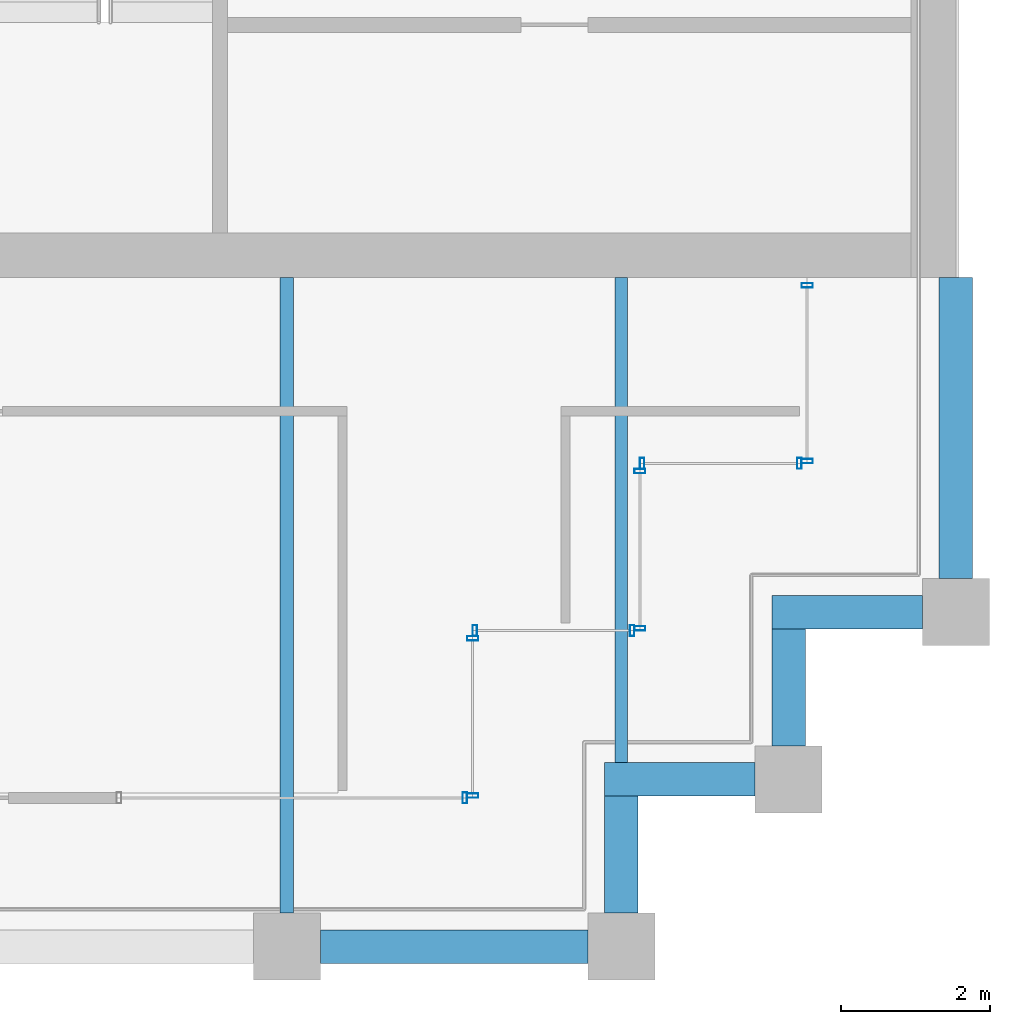
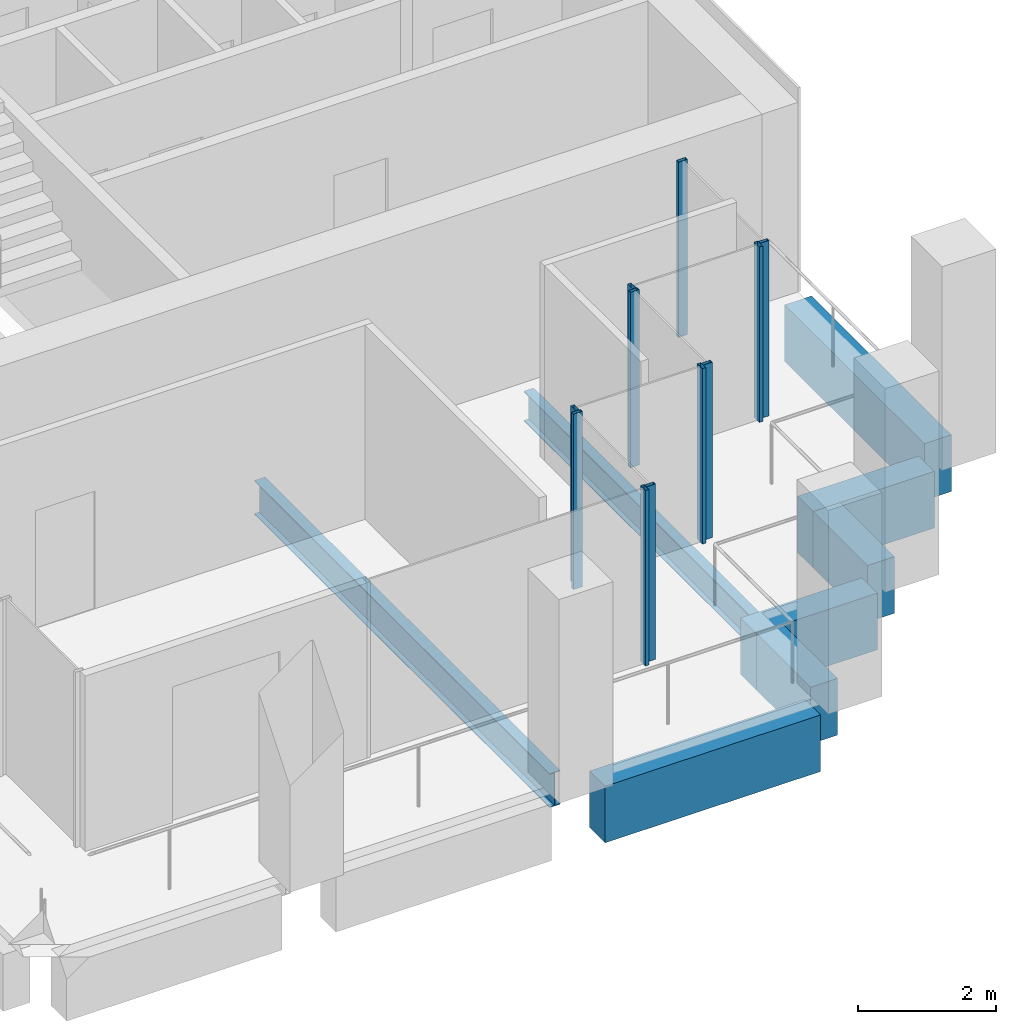
# One storey, part 31 of 40: 11 members, 8 beams, 6 elements without a shape of their own.
"""IFC4 building model written with IfcOpenShell, lengths in metres."""

from ifc_helpers import new_model, si_unit, direction, frame, origin, origin_2d, place, context, subcontext, project, spatial, rectangle, hollow_rectangle, i_section, extrude, material, material_profile, profile_set, type_object, element, aggregate, save


model = new_model("IFC4")

# Units and contexts
model_context = context("Model", 3, precision=1e-05, world=origin(), true_north=direction((0.0, 1.0)))
body_context = subcontext(model_context, "Body", "Model", "MODEL_VIEW")
ifc_project = project(units=[si_unit("LENGTHUNIT", "METRE"), si_unit("AREAUNIT", "SQUARE_METRE"), si_unit("VOLUMEUNIT", "CUBIC_METRE"), si_unit("PLANEANGLEUNIT", "RADIAN"), si_unit("MASSUNIT", "GRAM", prefix="KILO")], contexts=[model_context])

# Site, building, storey
site_placement = place(None, origin())
site = spatial("IfcSite", under=ifc_project, at=site_placement, CompositionType="ELEMENT")
building_placement = place(site_placement, origin())
building = spatial("IfcBuilding", under=site, at=building_placement, Name="Altepetl Exchange Towers", CompositionType="ELEMENT")
storey_placement = place(building_placement, frame((0.0, 0.0, 172.60009765625)))
storey = spatial("IfcBuildingStorey", under=building, at=storey_placement, Name="L43", CompositionType="ELEMENT", Elevation=172.60009765625)

# Beams
ifc_material_1 = material(Name="Steel S355", Category="steel")
ifc_material_profile_1 = material_profile(ifc_material_1, i_section(OverallWidth=0.166015625, OverallDepth=0.529052734375, WebThickness=0.009765625, FlangeThickness=0.013671875, at=origin_2d()), Name="W21X50")
ifc_profile_set_1 = profile_set([ifc_material_profile_1], Name="Steel S355")
beam_type_1 = type_object("IfcBeamType", Name="Floor beam W21X50", PredefinedType="BEAM", material=ifc_profile_set_1)
beam_1_placement = place(storey_placement, frame((112.5, 29.47509765625, -0.41455078125), z_axis=(0.0, 1.0, 0.0), x_axis=(-1.0, 0.0, 0.0)))
element("IfcBeam", 1, at=beam_1_placement, inside=storey, type_object=beam_type_1, Name="bm:B:L43:003", PredefinedType="BEAM", context=body_context, shape_type="SweptSolid", body=[
    extrude(i_section(OverallWidth=0.166015625, OverallDepth=0.529052734375, WebThickness=0.009765625, FlangeThickness=0.013671875, at=origin_2d()), origin(), (0.0, 0.0, 1.0), 6.52490234375),
])
ifc_material_profile_2 = material_profile(ifc_material_1, i_section(OverallWidth=0.177978515625, OverallDepth=0.59912109375, WebThickness=0.010009765625, FlangeThickness=0.0126953125, at=origin_2d()), Name="W24X55")
ifc_profile_set_2 = profile_set([ifc_material_profile_2], Name="Steel S355")
beam_type_2 = type_object("IfcBeamType", Name="Floor beam W24X55", PredefinedType="BEAM", material=ifc_profile_set_2)
beam_2_placement = place(storey_placement, frame((108.0, 27.449951171875, -0.44970703125), z_axis=(0.0, 1.0, 0.0), x_axis=(-1.0, 0.0, 0.0)))
element("IfcBeam", 2, at=beam_2_placement, inside=storey, type_object=beam_type_2, Name="bm:B:L43:002", PredefinedType="BEAM", context=body_context, shape_type="SweptSolid", body=[
    extrude(i_section(OverallWidth=0.177978515625, OverallDepth=0.59912109375, WebThickness=0.010009765625, FlangeThickness=0.0126953125, at=origin_2d()), origin(), (0.0, 0.0, 1.0), 8.550048828125),
])

# Curtain wall, member
ifc_material_2 = material(Name="Aluminium 6063-T6 glazing", Category="aluminium")
curtain_wall_type = type_object("IfcCurtainWallType", Name="Loggia glazing system", PredefinedType="NOTDEFINED", material=ifc_material_2)
curtain_wall_1_placement = place(storey_placement, origin())
curtain_wall_1 = element("IfcCurtainWall", 3, at=curtain_wall_1_placement, inside=storey, type_object=curtain_wall_type, Name="CW1 run", PredefinedType="NOTDEFINED")
ifc_material_3 = material(Name="Aluminium 6063-T6", Category="aluminium")
ifc_material_profile_3 = material_profile(ifc_material_3, hollow_rectangle(XDim=0.06005859375, YDim=0.14990234375, WallThickness=0.0029296875, at=origin_2d()), Name="Mullion 60x150 aluminium")
ifc_profile_set_3 = profile_set([ifc_material_profile_3], Name="Aluminium 6063-T6")
member_type = type_object("IfcMemberType", Name="Mullion 60x150 aluminium", PredefinedType="MULLION", material=ifc_profile_set_3)
member_1_placement = place(storey_placement, frame((110.39501953125, 29.0, 0.0)))
member_1 = element("IfcMember", 4, at=member_1_placement, type_object=member_type, Name="MU1 mullion", PredefinedType="MULLION", context=body_context, shape_type="SweptSolid", body=[
    extrude(hollow_rectangle(XDim=0.06005859375, YDim=0.14990234375, WallThickness=0.0029296875, at=origin_2d()), origin(), (0.0, 0.0, 1.0), 3.099853515625),
])
aggregate(curtain_wall_1, [member_1])

# Curtain wall, members
curtain_wall_2_placement = place(storey_placement, origin())
curtain_wall_2 = element("IfcCurtainWall", 5, at=curtain_wall_2_placement, inside=storey, type_object=curtain_wall_type, Name="CW1 run", PredefinedType="NOTDEFINED")
member_2_placement = place(storey_placement, frame((110.5, 29.030029296875, 0.0), z_axis=(0.0, 0.0, 1.0), x_axis=(0.0, 1.0, 0.0)))
member_2 = element("IfcMember", 6, at=member_2_placement, type_object=member_type, Name="MU1 mullion", PredefinedType="MULLION", context=body_context, shape_type="SweptSolid", body=[
    extrude(hollow_rectangle(XDim=0.06005859375, YDim=0.14990234375, WallThickness=0.0029296875, at=origin_2d()), origin(), (0.0, 0.0, 1.0), 3.099853515625),
])
member_3_placement = place(storey_placement, frame((110.5, 31.14501953125, 0.0), z_axis=(0.0, 0.0, 1.0), x_axis=(0.0, 1.0, 0.0)))
member_3 = element("IfcMember", 7, at=member_3_placement, type_object=member_type, Name="MU1 mullion", PredefinedType="MULLION", context=body_context, shape_type="SweptSolid", body=[
    extrude(hollow_rectangle(XDim=0.06005859375, YDim=0.14990234375, WallThickness=0.0029296875, at=origin_2d()), origin(), (0.0, 0.0, 1.0), 3.099853515625),
])
aggregate(curtain_wall_2, [member_2, member_3])

curtain_wall_3_placement = place(storey_placement, origin())
curtain_wall_3 = element("IfcCurtainWall", 8, at=curtain_wall_3_placement, inside=storey, type_object=curtain_wall_type, Name="CW1 run", PredefinedType="NOTDEFINED")
member_4_placement = place(storey_placement, frame((110.530029296875, 31.25, 0.0)))
member_4 = element("IfcMember", 9, at=member_4_placement, type_object=member_type, Name="MU1 mullion", PredefinedType="MULLION", context=body_context, shape_type="SweptSolid", body=[
    extrude(hollow_rectangle(XDim=0.06005859375, YDim=0.14990234375, WallThickness=0.0029296875, at=origin_2d()), origin(), (0.0, 0.0, 1.0), 3.099853515625),
])
member_5_placement = place(storey_placement, frame((112.64501953125, 31.25, 0.0)))
member_5 = element("IfcMember", 10, at=member_5_placement, type_object=member_type, Name="MU1 mullion", PredefinedType="MULLION", context=body_context, shape_type="SweptSolid", body=[
    extrude(hollow_rectangle(XDim=0.06005859375, YDim=0.14990234375, WallThickness=0.0029296875, at=origin_2d()), origin(), (0.0, 0.0, 1.0), 3.099853515625),
])
aggregate(curtain_wall_3, [member_4, member_5])

curtain_wall_4_placement = place(storey_placement, origin())
curtain_wall_4 = element("IfcCurtainWall", 11, at=curtain_wall_4_placement, inside=storey, type_object=curtain_wall_type, Name="CW1 run", PredefinedType="NOTDEFINED")
member_6_placement = place(storey_placement, frame((112.75, 31.280029296875, 0.0), z_axis=(0.0, 0.0, 1.0), x_axis=(0.0, 1.0, 0.0)))
member_6 = element("IfcMember", 12, at=member_6_placement, type_object=member_type, Name="MU1 mullion", PredefinedType="MULLION", context=body_context, shape_type="SweptSolid", body=[
    extrude(hollow_rectangle(XDim=0.06005859375, YDim=0.14990234375, WallThickness=0.0029296875, at=origin_2d()), origin(), (0.0, 0.0, 1.0), 3.099853515625),
])
member_7_placement = place(storey_placement, frame((112.75, 33.39501953125, 0.0), z_axis=(0.0, 0.0, 1.0), x_axis=(0.0, 1.0, 0.0)))
member_7 = element("IfcMember", 13, at=member_7_placement, type_object=member_type, Name="MU1 mullion", PredefinedType="MULLION", context=body_context, shape_type="SweptSolid", body=[
    extrude(hollow_rectangle(XDim=0.06005859375, YDim=0.14990234375, WallThickness=0.0029296875, at=origin_2d()), origin(), (0.0, 0.0, 1.0), 3.099853515625),
])
aggregate(curtain_wall_4, [member_6, member_7])

curtain_wall_5_placement = place(storey_placement, origin())
curtain_wall_5 = element("IfcCurtainWall", 14, at=curtain_wall_5_placement, inside=storey, type_object=curtain_wall_type, Name="CW1 run", PredefinedType="NOTDEFINED")
member_8_placement = place(storey_placement, frame((112.780029296875, 33.5, 0.0)))
member_8 = element("IfcMember", 15, at=member_8_placement, type_object=member_type, Name="MU1 mullion", PredefinedType="MULLION", context=body_context, shape_type="SweptSolid", body=[
    extrude(hollow_rectangle(XDim=0.06005859375, YDim=0.14990234375, WallThickness=0.0029296875, at=origin_2d()), origin(), (0.0, 0.0, 1.0), 3.099853515625),
])
member_9_placement = place(storey_placement, frame((114.89501953125, 33.5, 0.0)))
member_9 = element("IfcMember", 16, at=member_9_placement, type_object=member_type, Name="MU1 mullion", PredefinedType="MULLION", context=body_context, shape_type="SweptSolid", body=[
    extrude(hollow_rectangle(XDim=0.06005859375, YDim=0.14990234375, WallThickness=0.0029296875, at=origin_2d()), origin(), (0.0, 0.0, 1.0), 3.099853515625),
])
aggregate(curtain_wall_5, [member_8, member_9])

curtain_wall_6_placement = place(storey_placement, origin())
curtain_wall_6 = element("IfcCurtainWall", 17, at=curtain_wall_6_placement, inside=storey, type_object=curtain_wall_type, Name="CW1 run", PredefinedType="NOTDEFINED")
member_10_placement = place(storey_placement, frame((115.0, 33.530029296875, 0.0), z_axis=(0.0, 0.0, 1.0), x_axis=(0.0, 1.0, 0.0)))
member_10 = element("IfcMember", 18, at=member_10_placement, type_object=member_type, Name="MU1 mullion", PredefinedType="MULLION", context=body_context, shape_type="SweptSolid", body=[
    extrude(hollow_rectangle(XDim=0.06005859375, YDim=0.14990234375, WallThickness=0.0029296875, at=origin_2d()), origin(), (0.0, 0.0, 1.0), 3.099853515625),
])
member_11_placement = place(storey_placement, frame((115.0, 35.89501953125, 0.0), z_axis=(0.0, 0.0, 1.0), x_axis=(0.0, 1.0, 0.0)))
member_11 = element("IfcMember", 19, at=member_11_placement, type_object=member_type, Name="MU1 mullion", PredefinedType="MULLION", context=body_context, shape_type="SweptSolid", body=[
    extrude(hollow_rectangle(XDim=0.06005859375, YDim=0.14990234375, WallThickness=0.0029296875, at=origin_2d()), origin(), (0.0, 0.0, 1.0), 3.099853515625),
])
aggregate(curtain_wall_6, [member_10, member_11])

# Beams
ifc_material_4 = material(Name="Concrete C50/60 precast with cantera blanca facing", Category="concrete")
ifc_material_profile_4 = material_profile(ifc_material_4, rectangle(XDim=0.449951171875, YDim=1.0, at=origin_2d()), Name="450 x 1000")
ifc_profile_set_4 = profile_set([ifc_material_profile_4], Name="Concrete C50/60 precast with cantera blanca facing")
beam_type_3 = type_object("IfcBeamType", Name="Spandrel beam 450x1000 cantera blanca", PredefinedType="SPANDREL", material=ifc_profile_set_4)
beam_3_placement = place(storey_placement, frame((117.0, 31.949951171875, -0.650146484375), z_axis=(0.0, 1.0, 0.0), x_axis=(-1.0, 0.0, 0.0)))
element("IfcBeam", 20, at=beam_3_placement, inside=storey, type_object=beam_type_3, Name="sp:B:L43:007", PredefinedType="SPANDREL", context=body_context, shape_type="SweptSolid", body=[
    extrude(rectangle(XDim=0.449951171875, YDim=1.0, at=origin_2d()), origin(), (0.0, 0.0, 1.0), 4.050048828125),
])
ifc_material_5 = material(Name="Concrete C50/60 precast with tezontle facing", Category="concrete")
ifc_material_profile_5 = material_profile(ifc_material_5, rectangle(XDim=0.449951171875, YDim=1.0, at=origin_2d()), Name="450 x 1000")
ifc_profile_set_5 = profile_set([ifc_material_profile_5], Name="Concrete C50/60 precast with tezontle facing")
beam_type_4 = type_object("IfcBeamType", Name="Spandrel beam 450x1000 tezontle", PredefinedType="SPANDREL", material=ifc_profile_set_5)
beam_4_placement = place(storey_placement, frame((108.449951171875, 27.0, -0.650146484375), z_axis=(1.0, 0.0, 0.0), x_axis=(0.0, 1.0, 0.0)))
element("IfcBeam", 21, at=beam_4_placement, inside=storey, type_object=beam_type_4, Name="sp:B:L43:002", PredefinedType="SPANDREL", context=body_context, shape_type="SweptSolid", body=[
    extrude(rectangle(XDim=0.449951171875, YDim=1.0, at=origin_2d()), origin(), (0.0, 0.0, 1.0), 3.60009765625),
])
beam_5_placement = place(storey_placement, frame((112.5, 27.449951171875, -0.650146484375), z_axis=(0.0, 1.0, 0.0), x_axis=(-1.0, 0.0, 0.0)))
element("IfcBeam", 22, at=beam_5_placement, inside=storey, type_object=beam_type_4, Name="sp:B:L43:003", PredefinedType="SPANDREL", context=body_context, shape_type="SweptSolid", body=[
    extrude(rectangle(XDim=0.449951171875, YDim=1.0, at=origin_2d()), origin(), (0.0, 0.0, 1.0), 1.574951171875),
])
beam_6_placement = place(storey_placement, frame((112.27490234375, 29.25, -0.650146484375), z_axis=(1.0, 0.0, 0.0), x_axis=(0.0, 1.0, 0.0)))
element("IfcBeam", 23, at=beam_6_placement, inside=storey, type_object=beam_type_4, Name="sp:B:L43:004", PredefinedType="SPANDREL", context=body_context, shape_type="SweptSolid", body=[
    extrude(rectangle(XDim=0.449951171875, YDim=1.0, at=origin_2d()), origin(), (0.0, 0.0, 1.0), 2.025146484375),
])
beam_7_placement = place(storey_placement, frame((114.75, 29.699951171875, -0.650146484375), z_axis=(0.0, 1.0, 0.0), x_axis=(-1.0, 0.0, 0.0)))
element("IfcBeam", 24, at=beam_7_placement, inside=storey, type_object=beam_type_4, Name="sp:B:L43:005", PredefinedType="SPANDREL", context=body_context, shape_type="SweptSolid", body=[
    extrude(rectangle(XDim=0.449951171875, YDim=1.0, at=origin_2d()), origin(), (0.0, 0.0, 1.0), 1.574951171875),
])
beam_8_placement = place(storey_placement, frame((114.52490234375, 31.5, -0.650146484375), z_axis=(1.0, 0.0, 0.0), x_axis=(0.0, 1.0, 0.0)))
element("IfcBeam", 25, at=beam_8_placement, inside=storey, type_object=beam_type_4, Name="sp:B:L43:006", PredefinedType="SPANDREL", context=body_context, shape_type="SweptSolid", body=[
    extrude(rectangle(XDim=0.449951171875, YDim=1.0, at=origin_2d()), origin(), (0.0, 0.0, 1.0), 2.025146484375),
])

save(model, "model.ifc")
